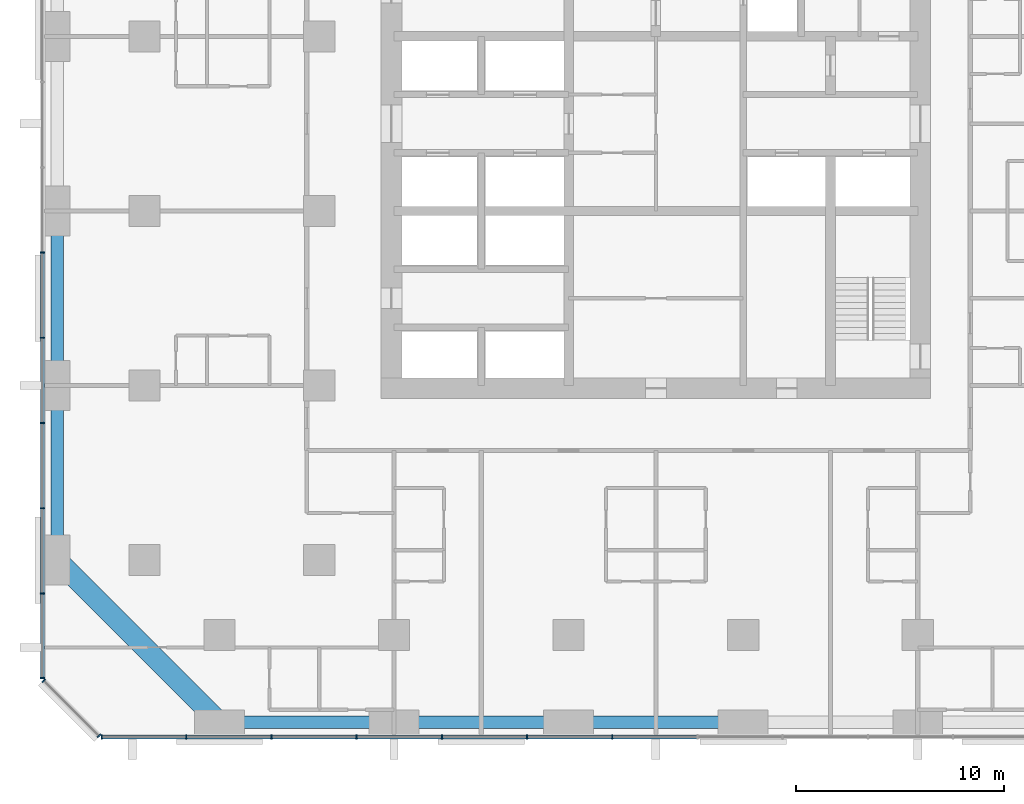
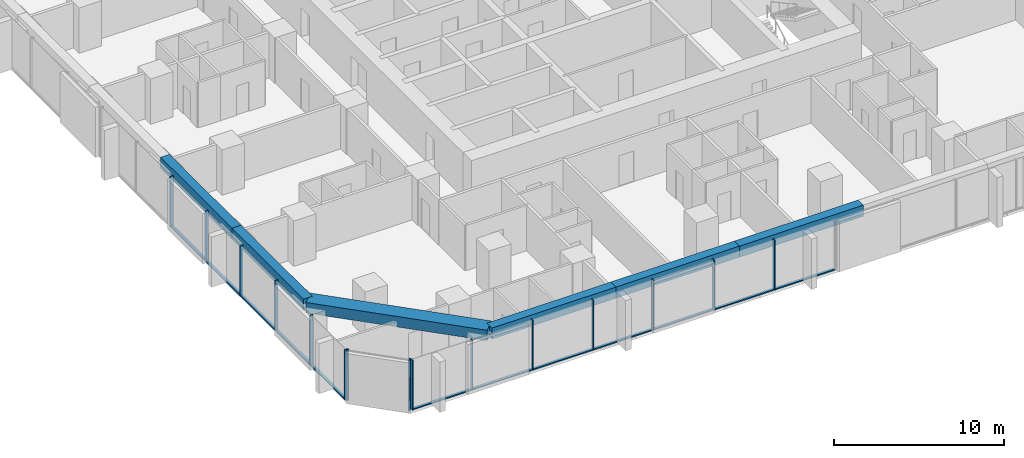
# One storey, part 2 of 14: 27 members, 6 beams, 3 elements without a shape of their own.
"""IFC4 building model written with IfcOpenShell, lengths in metres."""

from ifc_helpers import new_model, si_unit, direction, frame, origin, origin_2d, place, context, subcontext, project, spatial, rectangle, extrude, material, material_profile, profile_set, type_object, element, aggregate, save


model = new_model("IFC4")

# Units and contexts
model_context = context("Model", 3, precision=1e-05, world=origin(), true_north=direction((0.0, 1.0)))
body_context = subcontext(model_context, "Body", "Model", "MODEL_VIEW")
ifc_project = project(units=[si_unit("LENGTHUNIT", "METRE"), si_unit("AREAUNIT", "SQUARE_METRE"), si_unit("VOLUMEUNIT", "CUBIC_METRE"), si_unit("PLANEANGLEUNIT", "RADIAN"), si_unit("MASSUNIT", "GRAM", prefix="KILO")], contexts=[model_context])

# Site, building, storey
site_placement = place(None, origin())
site = spatial("IfcSite", under=ifc_project, at=site_placement, CompositionType="ELEMENT")
building_placement = place(site_placement, origin())
building = spatial("IfcBuilding", under=site, at=building_placement, Name="Dunama Terrace Hotel", CompositionType="ELEMENT")
storey_placement = place(building_placement, frame((0.0, 0.0, 129.60009765625)))
storey = spatial("IfcBuildingStorey", under=building, at=storey_placement, Name="L33", CompositionType="ELEMENT", Elevation=129.60009765625)

# Curtain wall, members
ifc_material_1 = material(Name="Aluminium curtain wall system", Category="aluminium")
curtain_wall_type = type_object("IfcCurtainWallType", Name="Unitised fritted glass wall CW-B", PredefinedType="NOTDEFINED", material=ifc_material_1)
curtain_wall_1_placement = place(storey_placement, origin())
curtain_wall_1 = element("IfcCurtainWall", 1, at=curtain_wall_1_placement, inside=storey, type_object=curtain_wall_type, Name="Unitised fritted glass wall CW-B L33", PredefinedType="NOTDEFINED")
ifc_material_2 = material(Name="Aluminium mullion", Category="aluminium")
ifc_material_profile_1 = material_profile(ifc_material_2, rectangle(XDim=0.06494140625, YDim=0.219970703125, at=origin_2d()), Name="CWB MULLION 65X220")
ifc_profile_set_1 = profile_set([ifc_material_profile_1], Name="Aluminium mullion")
member_type_1 = type_object("IfcMemberType", Name="CWB mullion 65x220", PredefinedType="MULLION", material=ifc_profile_set_1)
member_1_placement = place(storey_placement, frame((2.73291015625, -0.110107421875, 0.0), z_axis=(0.0, 0.0, 1.0), x_axis=(1.0, 0.0, 0.0)))
member_1 = element("IfcMember", 2, at=member_1_placement, type_object=member_type_1, Name="CWB mullion", PredefinedType="MULLION", context=body_context, shape_type="SweptSolid", body=[
    extrude(rectangle(XDim=0.06494140625, YDim=0.219970703125, at=origin_2d()), origin(), (0.0, 0.0, 1.0), 3.599853515625),
])
member_2_placement = place(storey_placement, frame((6.800048828125, -0.110107421875, 0.0), z_axis=(0.0, 0.0, 1.0), x_axis=(1.0, 0.0, 0.0)))
member_2 = element("IfcMember", 3, at=member_2_placement, type_object=member_type_1, Name="CWB mullion", PredefinedType="MULLION", context=body_context, shape_type="SweptSolid", body=[
    extrude(rectangle(XDim=0.06494140625, YDim=0.219970703125, at=origin_2d()), origin(), (0.0, 0.0, 1.0), 3.599853515625),
])
member_3_placement = place(storey_placement, frame((10.89990234375, -0.110107421875, 0.0), z_axis=(0.0, 0.0, 1.0), x_axis=(1.0, 0.0, 0.0)))
member_3 = element("IfcMember", 4, at=member_3_placement, type_object=member_type_1, Name="CWB mullion", PredefinedType="MULLION", context=body_context, shape_type="SweptSolid", body=[
    extrude(rectangle(XDim=0.06494140625, YDim=0.219970703125, at=origin_2d()), origin(), (0.0, 0.0, 1.0), 3.599853515625),
])
member_4_placement = place(storey_placement, frame((15.0, -0.110107421875, 0.0), z_axis=(0.0, 0.0, 1.0), x_axis=(1.0, 0.0, 0.0)))
member_4 = element("IfcMember", 5, at=member_4_placement, type_object=member_type_1, Name="CWB mullion", PredefinedType="MULLION", context=body_context, shape_type="SweptSolid", body=[
    extrude(rectangle(XDim=0.06494140625, YDim=0.219970703125, at=origin_2d()), origin(), (0.0, 0.0, 1.0), 3.599853515625),
])
member_5_placement = place(storey_placement, frame((19.10009765625, -0.110107421875, 0.0), z_axis=(0.0, 0.0, 1.0), x_axis=(1.0, 0.0, 0.0)))
member_5 = element("IfcMember", 6, at=member_5_placement, type_object=member_type_1, Name="CWB mullion", PredefinedType="MULLION", context=body_context, shape_type="SweptSolid", body=[
    extrude(rectangle(XDim=0.06494140625, YDim=0.219970703125, at=origin_2d()), origin(), (0.0, 0.0, 1.0), 3.599853515625),
])
member_6_placement = place(storey_placement, frame((23.199951171875, -0.110107421875, 0.0), z_axis=(0.0, 0.0, 1.0), x_axis=(1.0, 0.0, 0.0)))
member_6 = element("IfcMember", 7, at=member_6_placement, type_object=member_type_1, Name="CWB mullion", PredefinedType="MULLION", context=body_context, shape_type="SweptSolid", body=[
    extrude(rectangle(XDim=0.06494140625, YDim=0.219970703125, at=origin_2d()), origin(), (0.0, 0.0, 1.0), 3.599853515625),
])
member_7_placement = place(storey_placement, frame((27.300048828125, -0.110107421875, 0.0), z_axis=(0.0, 0.0, 1.0), x_axis=(1.0, 0.0, 0.0)))
member_7 = element("IfcMember", 8, at=member_7_placement, type_object=member_type_1, Name="CWB mullion", PredefinedType="MULLION", context=body_context, shape_type="SweptSolid", body=[
    extrude(rectangle(XDim=0.06494140625, YDim=0.219970703125, at=origin_2d()), origin(), (0.0, 0.0, 1.0), 3.599853515625),
])

curtain_wall_2_placement = place(storey_placement, origin())
curtain_wall_2 = element("IfcCurtainWall", 9, at=curtain_wall_2_placement, inside=storey, type_object=curtain_wall_type, Name="Unitised fritted glass wall CW-B L33", PredefinedType="NOTDEFINED")
member_8_placement = place(storey_placement, frame((-0.110107421875, 23.199951171875, 0.0), z_axis=(0.0, 0.0, 1.0), x_axis=(0.0, -1.0, 0.0)))
member_8 = element("IfcMember", 10, at=member_8_placement, type_object=member_type_1, Name="CWB mullion", PredefinedType="MULLION", context=body_context, shape_type="SweptSolid", body=[
    extrude(rectangle(XDim=0.06494140625, YDim=0.219970703125, at=origin_2d()), origin(), (0.0, 0.0, 1.0), 3.599853515625),
])
member_9_placement = place(storey_placement, frame((-0.110107421875, 19.10009765625, 0.0), z_axis=(0.0, 0.0, 1.0), x_axis=(0.0, -1.0, 0.0)))
member_9 = element("IfcMember", 11, at=member_9_placement, type_object=member_type_1, Name="CWB mullion", PredefinedType="MULLION", context=body_context, shape_type="SweptSolid", body=[
    extrude(rectangle(XDim=0.06494140625, YDim=0.219970703125, at=origin_2d()), origin(), (0.0, 0.0, 1.0), 3.599853515625),
])
member_10_placement = place(storey_placement, frame((-0.110107421875, 15.0, 0.0), z_axis=(0.0, 0.0, 1.0), x_axis=(0.0, -1.0, 0.0)))
member_10 = element("IfcMember", 12, at=member_10_placement, type_object=member_type_1, Name="CWB mullion", PredefinedType="MULLION", context=body_context, shape_type="SweptSolid", body=[
    extrude(rectangle(XDim=0.06494140625, YDim=0.219970703125, at=origin_2d()), origin(), (0.0, 0.0, 1.0), 3.599853515625),
])
member_11_placement = place(storey_placement, frame((-0.110107421875, 10.89990234375, 0.0), z_axis=(0.0, 0.0, 1.0), x_axis=(0.0, -1.0, 0.0)))
member_11 = element("IfcMember", 13, at=member_11_placement, type_object=member_type_1, Name="CWB mullion", PredefinedType="MULLION", context=body_context, shape_type="SweptSolid", body=[
    extrude(rectangle(XDim=0.06494140625, YDim=0.219970703125, at=origin_2d()), origin(), (0.0, 0.0, 1.0), 3.599853515625),
])
member_12_placement = place(storey_placement, frame((-0.110107421875, 6.800048828125, 0.0), z_axis=(0.0, 0.0, 1.0), x_axis=(0.0, -1.0, 0.0)))
member_12 = element("IfcMember", 14, at=member_12_placement, type_object=member_type_1, Name="CWB mullion", PredefinedType="MULLION", context=body_context, shape_type="SweptSolid", body=[
    extrude(rectangle(XDim=0.06494140625, YDim=0.219970703125, at=origin_2d()), origin(), (0.0, 0.0, 1.0), 3.599853515625),
])
member_13_placement = place(storey_placement, frame((-0.110107421875, 2.73291015625, 0.0), z_axis=(0.0, 0.0, 1.0), x_axis=(0.0, -1.0, 0.0)))
member_13 = element("IfcMember", 15, at=member_13_placement, type_object=member_type_1, Name="CWB mullion", PredefinedType="MULLION", context=body_context, shape_type="SweptSolid", body=[
    extrude(rectangle(XDim=0.06494140625, YDim=0.219970703125, at=origin_2d()), origin(), (0.0, 0.0, 1.0), 3.599853515625),
])

curtain_wall_3_placement = place(storey_placement, origin())
curtain_wall_3 = element("IfcCurtainWall", 16, at=curtain_wall_3_placement, inside=storey, type_object=curtain_wall_type, Name="Unitised fritted glass wall CW-B L33", PredefinedType="NOTDEFINED")
member_14_placement = place(storey_placement, frame((-0.054931640625, 2.59912109375, 0.0), z_axis=(0.0, 0.0, 1.0), x_axis=(0.707106781187, -0.707106781187, 0.0)))
member_14 = element("IfcMember", 17, at=member_14_placement, type_object=member_type_1, Name="CWB mullion", PredefinedType="MULLION", context=body_context, shape_type="SweptSolid", body=[
    extrude(rectangle(XDim=0.06494140625, YDim=0.219970703125, at=origin_2d()), origin(), (0.0, 0.0, 1.0), 3.599853515625),
])
member_15_placement = place(storey_placement, frame((2.59912109375, -0.054931640625, 0.0), z_axis=(0.0, 0.0, 1.0), x_axis=(0.707106781187, -0.707106781187, 0.0)))
member_15 = element("IfcMember", 18, at=member_15_placement, type_object=member_type_1, Name="CWB mullion", PredefinedType="MULLION", context=body_context, shape_type="SweptSolid", body=[
    extrude(rectangle(XDim=0.06494140625, YDim=0.219970703125, at=origin_2d()), origin(), (0.0, 0.0, 1.0), 3.599853515625),
])
aggregate(curtain_wall_3, [member_14, member_15])

# Member
ifc_material_3 = material(Name="Aluminium transom", Category="aluminium")
ifc_material_profile_2 = material_profile(ifc_material_3, rectangle(XDim=0.179931640625, YDim=0.080078125, at=origin_2d()), Name="CWB TRANSOM 180X80")
ifc_profile_set_2 = profile_set([ifc_material_profile_2], Name="Aluminium transom")
member_type_2 = type_object("IfcMemberType", Name="CWB transom 180x80", PredefinedType="USERDEFINED", material=ifc_profile_set_2)
member_16_placement = place(storey_placement, frame((2.764892578125, -0.110107421875, 0.039794921875), z_axis=(1.0, 0.0, 0.0), x_axis=(0.0, 1.0, 0.0)))
member_16 = element("IfcMember", 19, at=member_16_placement, type_object=member_type_2, Name="CWB transom", ObjectType="TRANSOM", PredefinedType="USERDEFINED", context=body_context, shape_type="SweptSolid", body=[
    extrude(rectangle(XDim=0.179931640625, YDim=0.080078125, at=origin_2d()), origin(), (0.0, 0.0, 1.0), 4.003173828125),
])

member_17_placement = place(storey_placement, frame((6.83203125, -0.110107421875, 0.039794921875), z_axis=(1.0, 0.0, 0.0), x_axis=(0.0, 1.0, 0.0)))
member_17 = element("IfcMember", 20, at=member_17_placement, type_object=member_type_2, Name="CWB transom", ObjectType="TRANSOM", PredefinedType="USERDEFINED", context=body_context, shape_type="SweptSolid", body=[
    extrude(rectangle(XDim=0.179931640625, YDim=0.080078125, at=origin_2d()), origin(), (0.0, 0.0, 1.0), 4.034912109375),
])

member_18_placement = place(storey_placement, frame((10.93310546875, -0.110107421875, 0.039794921875), z_axis=(1.0, 0.0, 0.0), x_axis=(0.0, 1.0, 0.0)))
member_18 = element("IfcMember", 21, at=member_18_placement, type_object=member_type_2, Name="CWB transom", ObjectType="TRANSOM", PredefinedType="USERDEFINED", context=body_context, shape_type="SweptSolid", body=[
    extrude(rectangle(XDim=0.179931640625, YDim=0.080078125, at=origin_2d()), origin(), (0.0, 0.0, 1.0), 4.033935546875),
])

member_19_placement = place(storey_placement, frame((15.031982421875, -0.110107421875, 0.039794921875), z_axis=(1.0, 0.0, 0.0), x_axis=(0.0, 1.0, 0.0)))
member_19 = element("IfcMember", 22, at=member_19_placement, type_object=member_type_2, Name="CWB transom", ObjectType="TRANSOM", PredefinedType="USERDEFINED", context=body_context, shape_type="SweptSolid", body=[
    extrude(rectangle(XDim=0.179931640625, YDim=0.080078125, at=origin_2d()), origin(), (0.0, 0.0, 1.0), 4.034912109375),
])

member_20_placement = place(storey_placement, frame((19.132080078125, -0.110107421875, 0.039794921875), z_axis=(1.0, 0.0, 0.0), x_axis=(0.0, 1.0, 0.0)))
member_20 = element("IfcMember", 23, at=member_20_placement, type_object=member_type_2, Name="CWB transom", ObjectType="TRANSOM", PredefinedType="USERDEFINED", context=body_context, shape_type="SweptSolid", body=[
    extrude(rectangle(XDim=0.179931640625, YDim=0.080078125, at=origin_2d()), origin(), (0.0, 0.0, 1.0), 4.035888671875),
])

member_21_placement = place(storey_placement, frame((23.23193359375, -0.110107421875, 0.039794921875), z_axis=(1.0, 0.0, 0.0), x_axis=(0.0, 1.0, 0.0)))
member_21 = element("IfcMember", 24, at=member_21_placement, type_object=member_type_2, Name="CWB transom", ObjectType="TRANSOM", PredefinedType="USERDEFINED", context=body_context, shape_type="SweptSolid", body=[
    extrude(rectangle(XDim=0.179931640625, YDim=0.080078125, at=origin_2d()), origin(), (0.0, 0.0, 1.0), 4.03515625),
])

member_22_placement = place(storey_placement, frame((27.33203125, -0.110107421875, 0.039794921875), z_axis=(1.0, 0.0, 0.0), x_axis=(0.0, 1.0, 0.0)))
member_22 = element("IfcMember", 25, at=member_22_placement, type_object=member_type_2, Name="CWB transom", ObjectType="TRANSOM", PredefinedType="USERDEFINED", context=body_context, shape_type="SweptSolid", body=[
    extrude(rectangle(XDim=0.179931640625, YDim=0.080078125, at=origin_2d()), origin(), (0.0, 0.0, 1.0), 4.034912109375),
])

aggregate(curtain_wall_1, [member_1, member_2, member_3, member_4, member_5, member_6, member_7, member_16, member_17, member_18, member_19, member_20, member_21, member_22])

member_23_placement = place(storey_placement, frame((-0.110107421875, 23.16796875, 0.039794921875), z_axis=(0.0, -1.0, 0.0), x_axis=(1.0, 0.0, 0.0)))
member_23 = element("IfcMember", 26, at=member_23_placement, type_object=member_type_2, Name="CWB transom", ObjectType="TRANSOM", PredefinedType="USERDEFINED", context=body_context, shape_type="SweptSolid", body=[
    extrude(rectangle(XDim=0.179931640625, YDim=0.080078125, at=origin_2d()), origin(), (0.0, 0.0, 1.0), 4.034912109375),
])

member_24_placement = place(storey_placement, frame((-0.110107421875, 19.068115234375, 0.039794921875), z_axis=(0.0, -1.0, 0.0), x_axis=(1.0, 0.0, 0.0)))
member_24 = element("IfcMember", 27, at=member_24_placement, type_object=member_type_2, Name="CWB transom", ObjectType="TRANSOM", PredefinedType="USERDEFINED", context=body_context, shape_type="SweptSolid", body=[
    extrude(rectangle(XDim=0.179931640625, YDim=0.080078125, at=origin_2d()), origin(), (0.0, 0.0, 1.0), 4.0361328125),
])

member_25_placement = place(storey_placement, frame((-0.110107421875, 14.968017578125, 0.039794921875), z_axis=(0.0, -1.0, 0.0), x_axis=(1.0, 0.0, 0.0)))
member_25 = element("IfcMember", 28, at=member_25_placement, type_object=member_type_2, Name="CWB transom", ObjectType="TRANSOM", PredefinedType="USERDEFINED", context=body_context, shape_type="SweptSolid", body=[
    extrude(rectangle(XDim=0.179931640625, YDim=0.080078125, at=origin_2d()), origin(), (0.0, 0.0, 1.0), 4.0361328125),
])

member_26_placement = place(storey_placement, frame((-0.110107421875, 10.866943359375, 0.039794921875), z_axis=(0.0, -1.0, 0.0), x_axis=(1.0, 0.0, 0.0)))
member_26 = element("IfcMember", 29, at=member_26_placement, type_object=member_type_2, Name="CWB transom", ObjectType="TRANSOM", PredefinedType="USERDEFINED", context=body_context, shape_type="SweptSolid", body=[
    extrude(rectangle(XDim=0.179931640625, YDim=0.080078125, at=origin_2d()), origin(), (0.0, 0.0, 1.0), 4.033935546875),
])

member_27_placement = place(storey_placement, frame((-0.110107421875, 6.76806640625, 0.039794921875), z_axis=(0.0, -1.0, 0.0), x_axis=(1.0, 0.0, 0.0)))
member_27 = element("IfcMember", 30, at=member_27_placement, type_object=member_type_2, Name="CWB transom", ObjectType="TRANSOM", PredefinedType="USERDEFINED", context=body_context, shape_type="SweptSolid", body=[
    extrude(rectangle(XDim=0.179931640625, YDim=0.080078125, at=origin_2d()), origin(), (0.0, 0.0, 1.0), 4.003173828125),
])

aggregate(curtain_wall_2, [member_8, member_9, member_10, member_11, member_12, member_13, member_23, member_24, member_25, member_26, member_27])

# Beams
ifc_material_4 = material(Name="Concrete C50/60", Category="concrete")
ifc_material_profile_3 = material_profile(ifc_material_4, rectangle(XDim=1.0, YDim=0.75, at=origin_2d()), Name="RC 1000x750")
ifc_profile_set_3 = profile_set([ifc_material_profile_3], Name="Concrete C50/60")
beam_type_1 = type_object("IfcBeamType", Name="Edge beam RC 1000x750", PredefinedType="SPANDREL", material=ifc_profile_set_3)
beam_1_placement = place(storey_placement, frame((8.39990234375, 0.60009765625, 3.224853515625), z_axis=(-0.707106781187, 0.707106781187, 0.0), x_axis=(-0.707106781187, -0.707106781187, 0.0)))
element("IfcBeam", 31, at=beam_1_placement, inside=storey, type_object=beam_type_1, Name="Corner edge beam under L34", PredefinedType="SPANDREL", context=body_context, shape_type="SweptSolid", body=[
    extrude(rectangle(XDim=1.0, YDim=0.75, at=origin_2d()), origin(), (0.0, 0.0, 1.0), 11.030517578125),
])
ifc_material_5 = material(Name="Concrete C40/50", Category="concrete")
ifc_material_profile_4 = material_profile(ifc_material_5, rectangle(XDim=0.60009765625, YDim=0.800048828125, at=origin_2d()), Name="RC 600x800")
ifc_profile_set_4 = profile_set([ifc_material_profile_4], Name="Concrete C40/50")
beam_type_2 = type_object("IfcBeamType", Name="Edge beam RC 600x800", PredefinedType="SPANDREL", material=ifc_profile_set_4)
beam_2_placement = place(storey_placement, frame((0.60009765625, 8.39990234375, 3.199951171875), z_axis=(0.0, 1.0, 0.0), x_axis=(-1.0, 0.0, 0.0)))
element("IfcBeam", 32, at=beam_2_placement, inside=storey, type_object=beam_type_2, Name="Edge beam under L34", PredefinedType="SPANDREL", context=body_context, shape_type="SweptSolid", body=[
    extrude(rectangle(XDim=0.60009765625, YDim=0.800048828125, at=origin_2d()), origin(), (0.0, 0.0, 1.0), 8.400146484375),
])
beam_3_placement = place(storey_placement, frame((0.60009765625, 16.800048828125, 3.199951171875), z_axis=(0.0, 1.0, 0.0), x_axis=(-1.0, 0.0, 0.0)))
element("IfcBeam", 33, at=beam_3_placement, inside=storey, type_object=beam_type_2, Name="Edge beam under L34", PredefinedType="SPANDREL", context=body_context, shape_type="SweptSolid", body=[
    extrude(rectangle(XDim=0.60009765625, YDim=0.800048828125, at=origin_2d()), origin(), (0.0, 0.0, 1.0), 8.39990234375),
])
beam_4_placement = place(storey_placement, frame((8.39990234375, 0.60009765625, 3.199951171875), z_axis=(1.0, 0.0, 0.0), x_axis=(0.0, 1.0, 0.0)))
element("IfcBeam", 34, at=beam_4_placement, inside=storey, type_object=beam_type_2, Name="Edge beam under L34", PredefinedType="SPANDREL", context=body_context, shape_type="SweptSolid", body=[
    extrude(rectangle(XDim=0.60009765625, YDim=0.800048828125, at=origin_2d()), origin(), (0.0, 0.0, 1.0), 8.400146484375),
])
beam_5_placement = place(storey_placement, frame((16.800048828125, 0.60009765625, 3.199951171875), z_axis=(1.0, 0.0, 0.0), x_axis=(0.0, 1.0, 0.0)))
element("IfcBeam", 35, at=beam_5_placement, inside=storey, type_object=beam_type_2, Name="Edge beam under L34", PredefinedType="SPANDREL", context=body_context, shape_type="SweptSolid", body=[
    extrude(rectangle(XDim=0.60009765625, YDim=0.800048828125, at=origin_2d()), origin(), (0.0, 0.0, 1.0), 8.39990234375),
])
beam_6_placement = place(storey_placement, frame((25.199951171875, 0.60009765625, 3.199951171875), z_axis=(1.0, 0.0, 0.0), x_axis=(0.0, 1.0, 0.0)))
element("IfcBeam", 36, at=beam_6_placement, inside=storey, type_object=beam_type_2, Name="Edge beam under L34", PredefinedType="SPANDREL", context=body_context, shape_type="SweptSolid", body=[
    extrude(rectangle(XDim=0.60009765625, YDim=0.800048828125, at=origin_2d()), origin(), (0.0, 0.0, 1.0), 8.400146484375),
])

save(model, "model.ifc")
